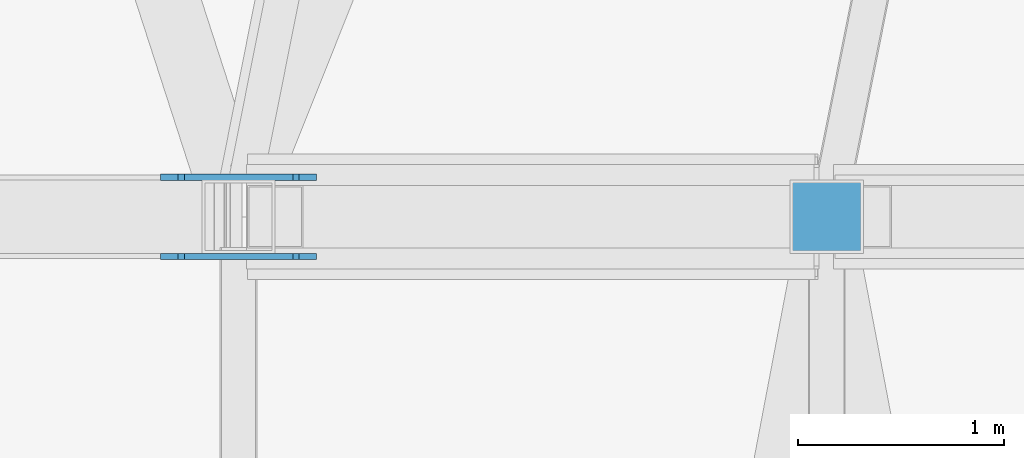
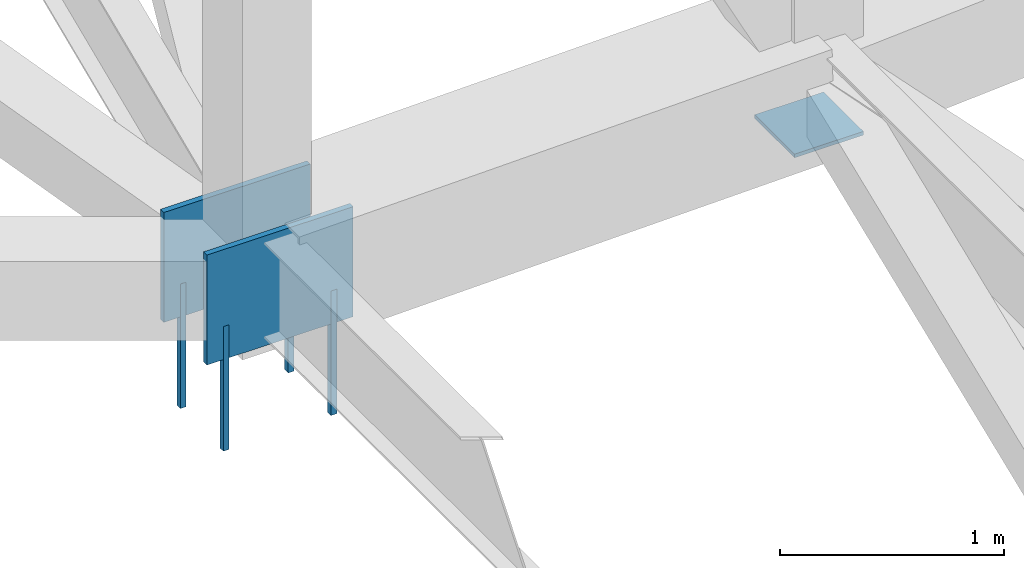
# One storey, part 213 of 278: 4 mechanical fasteners, 3 discrete accessories.
"""IFC4 building model written with IfcOpenShell, lengths in metres."""

from ifc_helpers import new_model, si_unit, direction, frame, origin, origin_2d, place, context, subcontext, project, spatial, rectangle, extrude, material, layer, layer_set, type_object, element, save


model = new_model("IFC4")

# Units and contexts
model_context = context("Model", 3, precision=1e-05, world=origin(), true_north=direction((0.0, 1.0)))
body_context = subcontext(model_context, "Body", "Model", "MODEL_VIEW")
ifc_project = project(units=[si_unit("LENGTHUNIT", "METRE"), si_unit("AREAUNIT", "SQUARE_METRE"), si_unit("VOLUMEUNIT", "CUBIC_METRE"), si_unit("PLANEANGLEUNIT", "RADIAN"), si_unit("MASSUNIT", "GRAM", prefix="KILO")], contexts=[model_context])

# Site, building, storey
site_placement = place(None, origin())
site = spatial("IfcSite", under=ifc_project, at=site_placement, CompositionType="ELEMENT")
building_placement = place(site_placement, origin())
building = spatial("IfcBuilding", under=site, at=building_placement, Name="Ogive Plaza Stadium", CompositionType="ELEMENT")
storey_placement = place(building_placement, frame((0.0, 0.0, 29.0)))
storey = spatial("IfcBuildingStorey", under=building, at=storey_placement, Name="Roof", CompositionType="ELEMENT", Elevation=29.0)

# Mechanical fasteners
ifc_material_1 = material(Name="Steel ASTM A992 Grade 50", Category="steel")
mechanical_fastener_type = type_object("IfcMechanicalFastenerType", Name="Anchor bolt M30 x 600", PredefinedType="ANCHORBOLT", material=ifc_material_1)
for number, where, z_axis, x_axis, name in (
    (1, (-74.27783203125, 52.30810546875, -0.5), (0.0, 0.0, 1.0), (-1.0, 0.0, 0.0), "ANCHOR BOLT 28 BP 1.1"),
    (2, (-73.72216796875, 52.30810546875, -0.5), (0.0, 0.0, 1.0), (-1.0, 0.0, 0.0), "ANCHOR BOLT 28 BP 1.2"),
    (3, (-74.27783203125, 52.69189453125, -0.5), (0.0, 0.0, 1.0), (-1.0, 0.0, 0.0), "ANCHOR BOLT 28 BP 2.1"),
    (4, (-73.72216796875, 52.69189453125, -0.5), (0.0, 0.0, 1.0), (-1.0, 0.0, 0.0), "ANCHOR BOLT 28 BP 2.2"),
):
    element("IfcMechanicalFastener", number, at=place(storey_placement, frame(where, z_axis=z_axis, x_axis=x_axis)), inside=storey, type_object=mechanical_fastener_type, Name=name, PredefinedType="ANCHORBOLT", context=body_context, shape_type="SweptSolid", body=[
        extrude(rectangle(XDim=0.030029296875, YDim=0.030029296875, at=origin_2d()), origin(), (0.0, 0.0, 1.0), 0.679931640625),
    ])

# Discrete accessories
ifc_material_2 = material(Name="Steel ASTM A992 Grade 50", Category="steel")
ifc_layer_1 = layer(ifc_material_2, 0.02001953125)
ifc_layer_set_1 = layer_set([ifc_layer_1], Name="Steel ASTM A992 Grade 50")
discrete_accessory_type_1 = type_object("IfcDiscreteAccessoryType", Name="Roof truss post cap plate 20", PredefinedType="ANCHORPLATE", material=ifc_layer_set_1)
discrete_accessory_placement = place(storey_placement, frame((-71.14990234375, 52.5, 0.04541015625), z_axis=(0.0, 0.0, 1.0), x_axis=(-1.0, 0.0, 0.0)))
element("IfcDiscreteAccessory", 5, at=discrete_accessory_placement, inside=storey, type_object=discrete_accessory_type_1, Name="ROOF TRUSS POST CAP PLATE 28 10", PredefinedType="ANCHORPLATE", context=body_context, shape_type="SweptSolid", body=[
    extrude(rectangle(XDim=0.355712890625, YDim=0.355712890625, at=origin_2d()), origin(), (0.0, 0.0, 1.0), 0.02001953125),
])
ifc_material_3 = material(Name="Steel ASTM A992 Grade 50", Category="steel")
ifc_layer_2 = layer(ifc_material_3, 0.030029296875)
ifc_layer_set_2 = layer_set([ifc_layer_2], Name="Steel ASTM A992 Grade 50")
discrete_accessory_type_2 = type_object("IfcDiscreteAccessoryType", Name="Truss root foot cleat plate 30", PredefinedType="ANCHORPLATE", material=ifc_layer_set_2)
for number, where, z_axis, x_axis, name in (
    (6, (-74.0, 52.30810546875, 0.0), (0.0, 0.0, 1.0), (-1.0, 0.0, 0.0), "TRUSS ROOT FOOT CLEAT PLATE 28 1"),
    (7, (-74.0, 52.69189453125, 0.0), (0.0, 0.0, 1.0), (-1.0, 0.0, 0.0), "TRUSS ROOT FOOT CLEAT PLATE 28 2"),
):
    element("IfcDiscreteAccessory", number, at=place(storey_placement, frame(where, z_axis=z_axis, x_axis=x_axis)), inside=storey, type_object=discrete_accessory_type_2, Name=name, PredefinedType="ANCHORPLATE", context=body_context, shape_type="SweptSolid", body=[
        extrude(rectangle(XDim=0.755615234375, YDim=0.030029296875, at=origin_2d()), origin(), (0.0, 0.0, 1.0), 0.60009765625),
    ])

save(model, "model.ifc")
